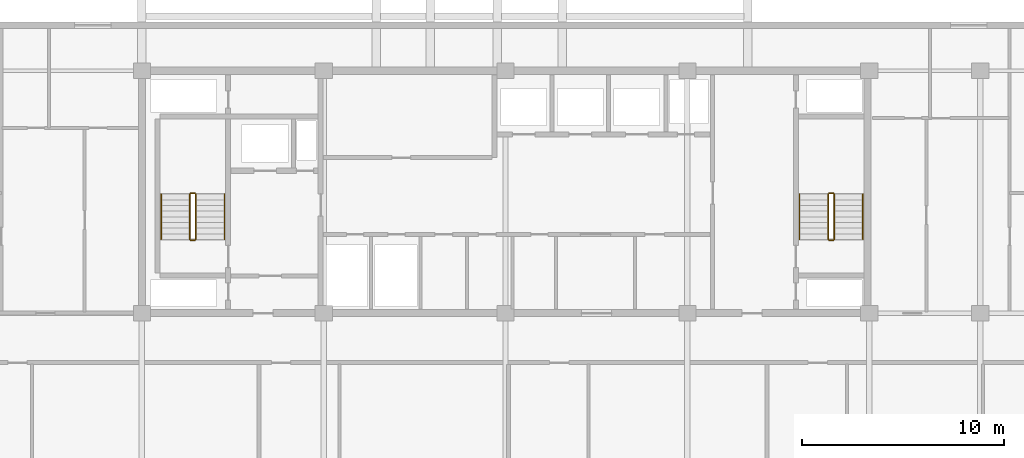
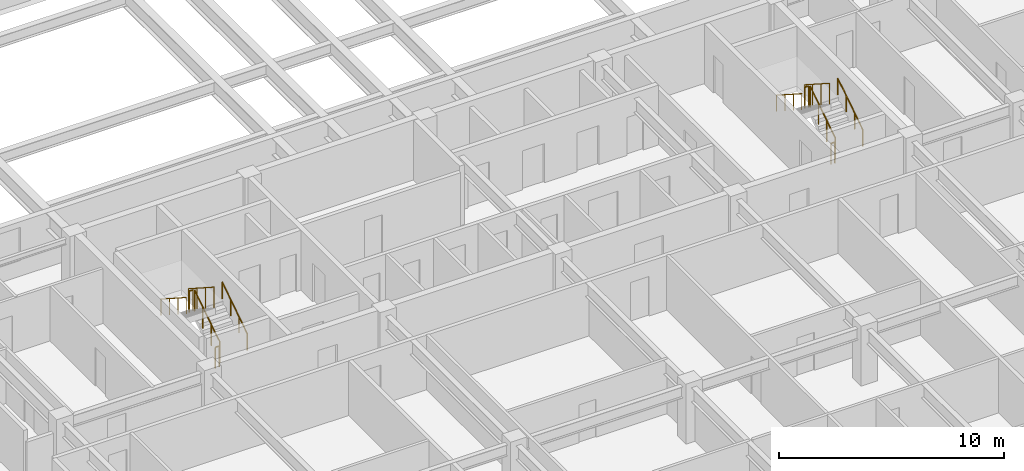
# One storey, part 18 of 21: 12 railings.
"""IFC4 building model written with IfcOpenShell, lengths in metres."""

from ifc_helpers import new_model, si_unit, direction, frame, origin, origin_2d, place, context, subcontext, project, spatial, circle, extrude, material, type_object, element, save


model = new_model("IFC4")

# Units and contexts
model_context = context("Model", 3, precision=1e-05, world=origin(), true_north=direction((0.0, 1.0)))
body_context = subcontext(model_context, "Body", "Model", "MODEL_VIEW")
ifc_project = project(units=[si_unit("LENGTHUNIT", "METRE"), si_unit("AREAUNIT", "SQUARE_METRE"), si_unit("VOLUMEUNIT", "CUBIC_METRE"), si_unit("PLANEANGLEUNIT", "RADIAN"), si_unit("MASSUNIT", "GRAM", prefix="KILO")], contexts=[model_context])

# Site, building, storey
site_placement = place(None, origin())
site = spatial("IfcSite", under=ifc_project, at=site_placement, CompositionType="ELEMENT")
building_placement = place(site_placement, origin())
building = spatial("IfcBuilding", under=site, at=building_placement, Name="Korimba Cascade Residences", CompositionType="ELEMENT")
storey_placement = place(building_placement, frame((0.0, 0.0, 136.050048828125)))
storey = spatial("IfcBuildingStorey", under=building, at=storey_placement, Name="L39", CompositionType="ELEMENT", Elevation=136.050048828125)

# Railings
ifc_material_1 = material(Name="Painted Steel Stairwell Guardrail", Category="steel")
railing_type_1 = type_object("IfcRailingType", Name="RLG-ST-GD1150", PredefinedType="GUARDRAIL", material=ifc_material_1)
railing_1_placement = place(storey_placement, frame((84.77001953125, 22.050048828125, 0.180419921875)))
element("IfcRailing", 1, at=railing_1_placement, inside=storey, type_object=railing_type_1, Name="L39 ST-E1 stair guard 1", PredefinedType="GUARDRAIL", context=body_context, shape_type="SweptSolid", body=[
    extrude(circle(Radius=0.02392578125, at=origin_2d()), frame((0.0, 0.0, 1.1259765625), z_axis=(0.0, 0.840394893359, 0.541974559565), x_axis=(-1.0, 0.0, 0.0)), (0.0, 0.0, 1.0), 2.665283203125),
    extrude(circle(Radius=0.02099609375, at=origin_2d()), origin(), (0.0, 0.0, 1.0), 1.101806640625),
    extrude(circle(Radius=0.02099609375, at=origin_2d()), frame((0.0, 0.74658203125, 0.4814453125)), (0.0, 0.0, 1.0), 1.101806640625),
    extrude(circle(Radius=0.02099609375, at=origin_2d()), frame((0.0, 1.493408203125, 0.963134765625)), (0.0, 0.0, 1.0), 1.101806640625),
    extrude(circle(Radius=0.02099609375, at=origin_2d()), frame((0.0, 2.239990234375, 1.444580078125)), (0.0, 0.0, 1.0), 1.101806640625),
])
railing_2_placement = place(storey_placement, frame((84.719970703125, 24.340087890625, 1.625)))
element("IfcRailing", 2, at=railing_2_placement, inside=storey, type_object=railing_type_1, Name="L39 ST-E1 stair guard 2", PredefinedType="GUARDRAIL", context=body_context, shape_type="SweptSolid", body=[
    extrude(circle(Radius=0.02392578125, at=origin_2d()), frame((0.0, 0.0, 1.1259765625), z_axis=(-1.0, 0.0, 0.0), x_axis=(0.0, -1.0, 0.0)), (0.0, 0.0, 1.0), 0.199951171875),
    extrude(circle(Radius=0.02099609375, at=origin_2d()), origin(), (0.0, 0.0, 1.0), 1.101806640625),
    extrude(circle(Radius=0.02099609375, at=origin_2d()), frame((-0.199951171875, 0.0, 0.0)), (0.0, 0.0, 1.0), 1.101806640625),
])
railing_3_placement = place(storey_placement, frame((84.469970703125, 24.2900390625, 1.805419921875)))
element("IfcRailing", 3, at=railing_3_placement, inside=storey, type_object=railing_type_1, Name="L39 ST-E1 stair guard 3", PredefinedType="GUARDRAIL", context=body_context, shape_type="SweptSolid", body=[
    extrude(circle(Radius=0.02392578125, at=origin_2d()), frame((0.0, 0.0, 1.1259765625), z_axis=(0.0, -0.840394893359, 0.541974559565), x_axis=(1.0, 0.0, 0.0)), (0.0, 0.0, 1.0), 2.665283203125),
    extrude(circle(Radius=0.02099609375, at=origin_2d()), origin(), (0.0, 0.0, 1.0), 1.101806640625),
    extrude(circle(Radius=0.02099609375, at=origin_2d()), frame((0.0, -0.74658203125, 0.4814453125)), (0.0, 0.0, 1.0), 1.101806640625),
    extrude(circle(Radius=0.02099609375, at=origin_2d()), frame((0.0, -1.493408203125, 0.963134765625)), (0.0, 0.0, 1.0), 1.101806640625),
    extrude(circle(Radius=0.02099609375, at=origin_2d()), frame((0.0, -2.239990234375, 1.444580078125)), (0.0, 0.0, 1.0), 1.101806640625),
])
railing_4_placement = place(storey_placement, frame((84.719970703125, 22.0, 0.0)))
element("IfcRailing", 4, at=railing_4_placement, inside=storey, type_object=railing_type_1, Name="L39 ST-E1 stair guard 4", PredefinedType="GUARDRAIL", context=body_context, shape_type="SweptSolid", body=[
    extrude(circle(Radius=0.02392578125, at=origin_2d()), frame((0.0, 0.0, 1.1259765625), z_axis=(-1.0, 0.0, 0.0), x_axis=(0.0, -1.0, 0.0)), (0.0, 0.0, 1.0), 0.199951171875),
    extrude(circle(Radius=0.02099609375, at=origin_2d()), origin(), (0.0, 0.0, 1.0), 1.101806640625),
    extrude(circle(Radius=0.02099609375, at=origin_2d()), frame((-0.199951171875, 0.0, 0.0)), (0.0, 0.0, 1.0), 1.101806640625),
])
railing_5_placement = place(storey_placement, frame((116.3701171875, 22.050048828125, 0.180419921875)))
element("IfcRailing", 5, at=railing_5_placement, inside=storey, type_object=railing_type_1, Name="L39 ST-E2 stair guard 1", PredefinedType="GUARDRAIL", context=body_context, shape_type="SweptSolid", body=[
    extrude(circle(Radius=0.02392578125, at=origin_2d()), frame((0.0, 0.0, 1.1259765625), z_axis=(0.0, 0.840394893359, 0.541974559565), x_axis=(-1.0, 0.0, 0.0)), (0.0, 0.0, 1.0), 2.665283203125),
    extrude(circle(Radius=0.02099609375, at=origin_2d()), origin(), (0.0, 0.0, 1.0), 1.101806640625),
    extrude(circle(Radius=0.02099609375, at=origin_2d()), frame((0.0, 0.74658203125, 0.4814453125)), (0.0, 0.0, 1.0), 1.101806640625),
    extrude(circle(Radius=0.02099609375, at=origin_2d()), frame((0.0, 1.493408203125, 0.963134765625)), (0.0, 0.0, 1.0), 1.101806640625),
    extrude(circle(Radius=0.02099609375, at=origin_2d()), frame((0.0, 2.239990234375, 1.444580078125)), (0.0, 0.0, 1.0), 1.101806640625),
])
railing_6_placement = place(storey_placement, frame((116.320068359375, 24.340087890625, 1.625)))
element("IfcRailing", 6, at=railing_6_placement, inside=storey, type_object=railing_type_1, Name="L39 ST-E2 stair guard 2", PredefinedType="GUARDRAIL", context=body_context, shape_type="SweptSolid", body=[
    extrude(circle(Radius=0.02392578125, at=origin_2d()), frame((0.0, 0.0, 1.1259765625), z_axis=(-1.0, 0.0, 0.0), x_axis=(0.0, -1.0, 0.0)), (0.0, 0.0, 1.0), 0.199951171875),
    extrude(circle(Radius=0.02099609375, at=origin_2d()), origin(), (0.0, 0.0, 1.0), 1.101806640625),
    extrude(circle(Radius=0.02099609375, at=origin_2d()), frame((-0.199951171875, 0.0, 0.0)), (0.0, 0.0, 1.0), 1.101806640625),
])
railing_7_placement = place(storey_placement, frame((116.070068359375, 24.2900390625, 1.805419921875)))
element("IfcRailing", 7, at=railing_7_placement, inside=storey, type_object=railing_type_1, Name="L39 ST-E2 stair guard 3", PredefinedType="GUARDRAIL", context=body_context, shape_type="SweptSolid", body=[
    extrude(circle(Radius=0.02392578125, at=origin_2d()), frame((0.0, 0.0, 1.1259765625), z_axis=(0.0, -0.840394893359, 0.541974559565), x_axis=(1.0, 0.0, 0.0)), (0.0, 0.0, 1.0), 2.665283203125),
    extrude(circle(Radius=0.02099609375, at=origin_2d()), origin(), (0.0, 0.0, 1.0), 1.101806640625),
    extrude(circle(Radius=0.02099609375, at=origin_2d()), frame((0.0, -0.74658203125, 0.4814453125)), (0.0, 0.0, 1.0), 1.101806640625),
    extrude(circle(Radius=0.02099609375, at=origin_2d()), frame((0.0, -1.493408203125, 0.963134765625)), (0.0, 0.0, 1.0), 1.101806640625),
    extrude(circle(Radius=0.02099609375, at=origin_2d()), frame((0.0, -2.239990234375, 1.444580078125)), (0.0, 0.0, 1.0), 1.101806640625),
])
railing_8_placement = place(storey_placement, frame((116.320068359375, 22.0, 0.0)))
element("IfcRailing", 8, at=railing_8_placement, inside=storey, type_object=railing_type_1, Name="L39 ST-E2 stair guard 4", PredefinedType="GUARDRAIL", context=body_context, shape_type="SweptSolid", body=[
    extrude(circle(Radius=0.02392578125, at=origin_2d()), frame((0.0, 0.0, 1.1259765625), z_axis=(-1.0, 0.0, 0.0), x_axis=(0.0, -1.0, 0.0)), (0.0, 0.0, 1.0), 0.199951171875),
    extrude(circle(Radius=0.02099609375, at=origin_2d()), origin(), (0.0, 0.0, 1.0), 1.101806640625),
    extrude(circle(Radius=0.02099609375, at=origin_2d()), frame((-0.199951171875, 0.0, 0.0)), (0.0, 0.0, 1.0), 1.101806640625),
])
ifc_material_2 = material(Name="Brushed Stainless Steel Handrail", Category="steel")
railing_type_2 = type_object("IfcRailingType", Name="RLG-ST-HR900", PredefinedType="HANDRAIL", material=ifc_material_2)
railing_9_placement = place(storey_placement, frame((86.18994140625, 22.050048828125, 0.364990234375)))
element("IfcRailing", 9, at=railing_9_placement, inside=storey, type_object=railing_type_2, Name="L39 ST-E1 stair handrail 1", PredefinedType="HANDRAIL", context=body_context, shape_type="SweptSolid", body=[
    extrude(circle(Radius=0.02392578125, at=origin_2d()), frame((0.0, 0.0, 0.8759765625), z_axis=(0.0, 0.840436612492, 0.541909863706), x_axis=(-1.0, 0.0, 0.0)), (0.0, 0.0, 1.0), 2.665283203125),
    extrude(circle(Radius=0.02099609375, at=origin_2d()), origin(), (0.0, 0.0, 1.0), 0.851806640625),
    extrude(circle(Radius=0.02099609375, at=origin_2d()), frame((0.0, 0.74658203125, 0.4814453125)), (0.0, 0.0, 1.0), 0.851806640625),
    extrude(circle(Radius=0.02099609375, at=origin_2d()), frame((0.0, 1.493408203125, 0.962890625)), (0.0, 0.0, 1.0), 0.851806640625),
    extrude(circle(Radius=0.02099609375, at=origin_2d()), frame((0.0, 2.239990234375, 1.4443359375)), (0.0, 0.0, 1.0), 0.851806640625),
])
railing_10_placement = place(storey_placement, frame((83.050048828125, 24.2900390625, 1.989990234375)))
element("IfcRailing", 10, at=railing_10_placement, inside=storey, type_object=railing_type_2, Name="L39 ST-E1 stair handrail 2", PredefinedType="HANDRAIL", context=body_context, shape_type="SweptSolid", body=[
    extrude(circle(Radius=0.02392578125, at=origin_2d()), frame((0.0, 0.0, 0.8759765625), z_axis=(0.0, -0.840436612492, 0.541909863706), x_axis=(1.0, 0.0, 0.0)), (0.0, 0.0, 1.0), 2.665283203125),
    extrude(circle(Radius=0.02099609375, at=origin_2d()), origin(), (0.0, 0.0, 1.0), 0.851806640625),
    extrude(circle(Radius=0.02099609375, at=origin_2d()), frame((0.0, -0.74658203125, 0.4814453125)), (0.0, 0.0, 1.0), 0.851806640625),
    extrude(circle(Radius=0.02099609375, at=origin_2d()), frame((0.0, -1.493408203125, 0.962890625)), (0.0, 0.0, 1.0), 0.851806640625),
    extrude(circle(Radius=0.02099609375, at=origin_2d()), frame((0.0, -2.239990234375, 1.4443359375)), (0.0, 0.0, 1.0), 0.851806640625),
])
railing_11_placement = place(storey_placement, frame((117.7900390625, 22.050048828125, 0.364990234375)))
element("IfcRailing", 11, at=railing_11_placement, inside=storey, type_object=railing_type_2, Name="L39 ST-E2 stair handrail 1", PredefinedType="HANDRAIL", context=body_context, shape_type="SweptSolid", body=[
    extrude(circle(Radius=0.02392578125, at=origin_2d()), frame((0.0, 0.0, 0.8759765625), z_axis=(0.0, 0.840436612492, 0.541909863706), x_axis=(-1.0, 0.0, 0.0)), (0.0, 0.0, 1.0), 2.665283203125),
    extrude(circle(Radius=0.02099609375, at=origin_2d()), origin(), (0.0, 0.0, 1.0), 0.851806640625),
    extrude(circle(Radius=0.02099609375, at=origin_2d()), frame((0.0, 0.74658203125, 0.4814453125)), (0.0, 0.0, 1.0), 0.851806640625),
    extrude(circle(Radius=0.02099609375, at=origin_2d()), frame((0.0, 1.493408203125, 0.962890625)), (0.0, 0.0, 1.0), 0.851806640625),
    extrude(circle(Radius=0.02099609375, at=origin_2d()), frame((0.0, 2.239990234375, 1.4443359375)), (0.0, 0.0, 1.0), 0.851806640625),
])
railing_12_placement = place(storey_placement, frame((114.64990234375, 24.2900390625, 1.989990234375)))
element("IfcRailing", 12, at=railing_12_placement, inside=storey, type_object=railing_type_2, Name="L39 ST-E2 stair handrail 2", PredefinedType="HANDRAIL", context=body_context, shape_type="SweptSolid", body=[
    extrude(circle(Radius=0.02392578125, at=origin_2d()), frame((0.0, 0.0, 0.8759765625), z_axis=(0.0, -0.840436612492, 0.541909863706), x_axis=(1.0, 0.0, 0.0)), (0.0, 0.0, 1.0), 2.665283203125),
    extrude(circle(Radius=0.02099609375, at=origin_2d()), origin(), (0.0, 0.0, 1.0), 0.851806640625),
    extrude(circle(Radius=0.02099609375, at=origin_2d()), frame((0.0, -0.74658203125, 0.4814453125)), (0.0, 0.0, 1.0), 0.851806640625),
    extrude(circle(Radius=0.02099609375, at=origin_2d()), frame((0.0, -1.493408203125, 0.962890625)), (0.0, 0.0, 1.0), 0.851806640625),
    extrude(circle(Radius=0.02099609375, at=origin_2d()), frame((0.0, -2.239990234375, 1.4443359375)), (0.0, 0.0, 1.0), 0.851806640625),
])

save(model, "model.ifc")
